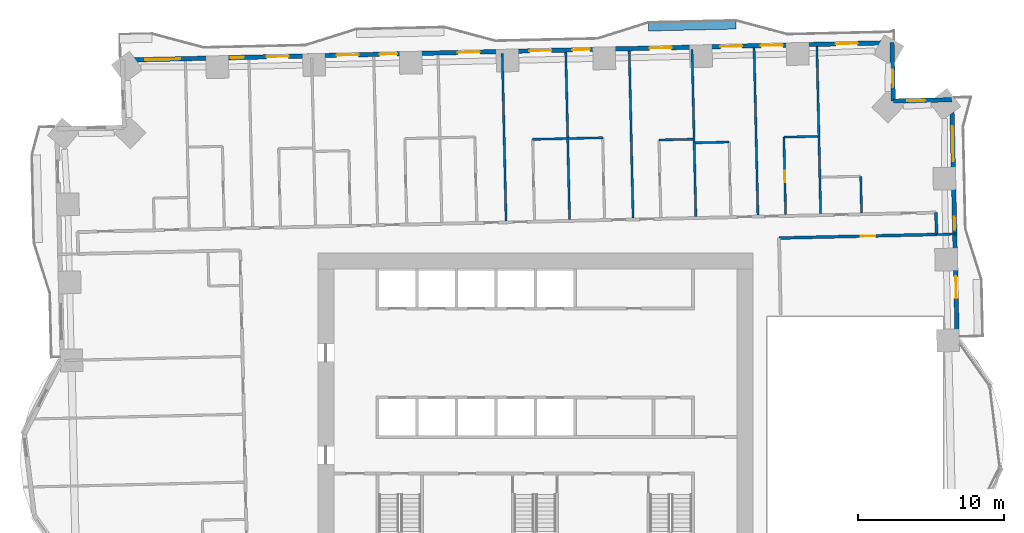
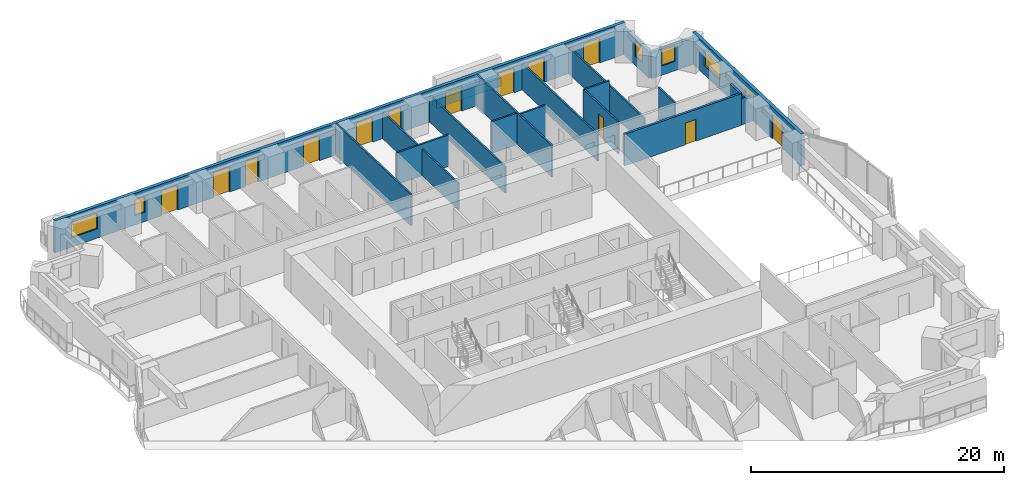
# One storey, part 11 of 16: 20 walls, 13 doors, 6 windows, 19 openings.
"""IFC4 building model written with IfcOpenShell, lengths in metres."""

from ifc_helpers import new_model, si_unit, direction, frame, frame_2d, origin, place, context, subcontext, project, spatial, rectangle, extrude, material, layer, layer_set, type_object, element, fill, save


model = new_model("IFC4")

# Units and contexts
model_context = context("Model", 3, precision=1e-05, world=origin(), true_north=direction((0.0, 1.0)))
body_context = subcontext(model_context, "Body", "Model", "MODEL_VIEW")
ifc_project = project(units=[si_unit("LENGTHUNIT", "METRE"), si_unit("AREAUNIT", "SQUARE_METRE"), si_unit("VOLUMEUNIT", "CUBIC_METRE"), si_unit("PLANEANGLEUNIT", "RADIAN"), si_unit("MASSUNIT", "GRAM", prefix="KILO")], contexts=[model_context])

# Site, building, storey
site_placement = place(None, origin())
site = spatial("IfcSite", under=ifc_project, at=site_placement, CompositionType="ELEMENT")
building_placement = place(site_placement, origin())
building = spatial("IfcBuilding", under=site, at=building_placement, Name="Mangrove Gate Tower", CompositionType="ELEMENT")
storey_placement = place(building_placement, frame((0.0, 0.0, 34.10009765625)))
storey = spatial("IfcBuildingStorey", under=building, at=storey_placement, Name="L07", CompositionType="ELEMENT", Elevation=34.10009765625)

# Wall, opening, door
ifc_material_1 = material(Name="Gypsum board on steel stud, EI 60", Category="steel")
ifc_layer_1 = layer(ifc_material_1, 0.199951171875)
ifc_layer_set_1 = layer_set([ifc_layer_1], Name="Corridor wall EI 60")
wall_type_1 = type_object("IfcWallType", Name="Corridor wall EI 60", PredefinedType="PARTITIONING", material=ifc_layer_set_1)
wall_1_placement = place(storey_placement, frame((16.678955078125, 12.91796875, 0.0), z_axis=(0.0, 0.0, 1.0), x_axis=(0.999742162372, 0.022707020428, 0.0)))
wall_1 = element("IfcWall", 1, at=wall_1_placement, inside=storey, type_object=wall_type_1, Name="WALL-L07-053", PredefinedType="PARTITIONING", context=body_context, shape_type="SweptSolid", body=[
    extrude(rectangle(XDim=10.794677734375, YDim=0.199951171875, at=frame_2d((5.3974609375, 0.0))), origin(), (0.0, 0.0, 1.0), 3.0498046875),
])
opening_1_placement = place(wall_1_placement, frame((5.597900390625, 0.0, 0.0)))
opening_1 = element("IfcOpeningElement", 2, at=opening_1_placement, cuts=wall_1, Name="Opening AD", PredefinedType="OPENING", context=body_context, shape_type="SweptSolid", body=[
    extrude(rectangle(XDim=1.0, YDim=2.10009765625, at=frame_2d((0.5, 1.050048828125))), frame((0.0, 0.10986328125, 0.0), z_axis=(0.0, -1.0, 0.0), x_axis=(1.0, 0.0, 0.0)), (0.0, 0.0, 1.0), 0.219970703125),
])
ifc_material_2 = material(Name="Timber door leaf", Category="wood")
door_type_1 = type_object("IfcDoorType", Name="Amenity door 1000", OperationType="SINGLE_SWING_LEFT", PredefinedType="DOOR", material=ifc_material_2)
door_1_placement = place(opening_1_placement, origin())
door_1 = element("IfcDoor", 3, at=door_1_placement, inside=storey, type_object=door_type_1, Name="DOOR-L07-GAM-c3b", OperationType="SINGLE_SWING_RIGHT", OverallHeight=2.10009765625, OverallWidth=1.0, PredefinedType="DOOR", context=body_context, shape_type="SweptSolid", body=[
    extrude(rectangle(XDim=1.0, YDim=2.10009765625, at=frame_2d((0.5, 1.050048828125))), frame((0.0, 0.02490234375, 0.0), z_axis=(0.0, -1.0, 0.0), x_axis=(1.0, 0.0, 0.0)), (0.0, 0.0, 1.0), 0.050048828125),
])
fill(opening_1, door_1)

# Wall
wall_2_placement = place(storey_placement, frame((27.470947265625, 13.1630859375, 0.0), z_axis=(0.0, 0.0, 1.0), x_axis=(-0.022617910375, 0.999744182344, 0.0)))
element("IfcWall", 4, at=wall_2_placement, inside=storey, type_object=wall_type_1, Name="WALL-L07-055", PredefinedType="PARTITIONING", context=body_context, shape_type="SweptSolid", body=[
    extrude(rectangle(XDim=1.50048828125, YDim=0.199951171875, at=frame_2d((0.750244140625, 0.0))), origin(), (0.0, 0.0, 1.0), 3.0498046875),
])

# Wall, openings, door, windows
ifc_material_3 = material(Name="Limestone", Category="masonry")
ifc_layer_2 = layer(ifc_material_3, 0.0400390625, Name="Limestone cladding")
ifc_material_4 = material(Name="Ventilated air gap")
ifc_layer_3 = layer(ifc_material_4, 0.0400390625, Name="Ventilated cavity")
ifc_material_5 = material(Name="Mineral wool insulation")
ifc_layer_4 = layer(ifc_material_5, 0.06005859375, Name="Insulation")
ifc_material_6 = material(Name="Breather membrane")
ifc_layer_5 = layer(ifc_material_6, 0.001953125, Name="Breather membrane")
ifc_material_7 = material(Name="Concrete C20/25 blockwork", Category="masonry")
ifc_layer_6 = layer(ifc_material_7, 0.14990234375, Name="Blockwork backing wall")
ifc_material_8 = material(Name="Gypsum plaster")
ifc_layer_7 = layer(ifc_material_8, 0.008056640625, Name="Internal plaster")
ifc_layer_set_2 = layer_set([ifc_layer_2, ifc_layer_3, ifc_layer_4, ifc_layer_5, ifc_layer_6, ifc_layer_7], Name="External wall 300 limestone cladding")
wall_type_2 = type_object("IfcWallType", Name="External wall 300 limestone cladding", PredefinedType="SOLIDWALL", material=ifc_layer_set_2)
wall_3_placement = place(storey_placement, frame((28.886962890625, 5.864013671875, 0.0), z_axis=(0.0, 0.0, 1.0), x_axis=(-0.022687182773, 0.999742612745, 0.0)))
wall_3 = element("IfcWall", 5, at=wall_3_placement, inside=storey, type_object=wall_type_2, Name="WALL-L07-E2", PredefinedType="SOLIDWALL", context=body_context, shape_type="SweptSolid", body=[
    extrude(rectangle(XDim=16.529052734375, YDim=0.300048828125, at=frame_2d((8.2646484375, 0.0))), origin(), (0.0, 0.0, 1.0), 3.0498046875),
])
opening_2_placement = place(wall_3_placement, frame((2.928955078125, 0.0, 0.0)))
opening_2 = element("IfcOpeningElement", 6, at=opening_2_placement, cuts=wall_3, Name="Opening BD1", PredefinedType="OPENING", context=body_context, shape_type="SweptSolid", body=[
    extrude(rectangle(XDim=1.5, YDim=2.39990234375, at=frame_2d((0.75, 1.199951171875))), frame((0.0, 0.159912109375, 0.0), z_axis=(0.0, -1.0, 0.0), x_axis=(1.0, 0.0, 0.0)), (0.0, 0.0, 1.0), 0.320068359375),
])
opening_3_placement = place(wall_3_placement, frame((7.62890625, 0.0, 0.89990234375)))
opening_3 = element("IfcOpeningElement", 7, at=opening_3_placement, cuts=wall_3, Name="Opening W5", PredefinedType="OPENING", context=body_context, shape_type="SweptSolid", body=[
    extrude(rectangle(XDim=0.89990234375, YDim=1.5, at=frame_2d((0.449951171875, 0.75))), frame((0.0, 0.159912109375, 0.0), z_axis=(0.0, -1.0, 0.0), x_axis=(1.0, 0.0, 0.0)), (0.0, 0.0, 1.0), 0.320068359375),
])
opening_4_placement = place(wall_3_placement, frame((12.3291015625, 0.0, 0.89990234375)))
opening_4 = element("IfcOpeningElement", 8, at=opening_4_placement, cuts=wall_3, Name="Opening W2", PredefinedType="OPENING", context=body_context, shape_type="SweptSolid", body=[
    extrude(rectangle(XDim=2.39990234375, YDim=1.5, at=frame_2d((1.199951171875, 0.75))), frame((0.0, 0.159912109375, 0.0), z_axis=(0.0, -1.0, 0.0), x_axis=(1.0, 0.0, 0.0)), (0.0, 0.0, 1.0), 0.320068359375),
])
ifc_material_9 = material(Name="Aluminium frame with laminated clear glass", Category="aluminium")
door_type_2 = type_object("IfcDoorType", Name="Balcony sliding door 1500x2400", OperationType="SLIDING_TO_LEFT", PredefinedType="DOOR", material=ifc_material_9)
door_2_placement = place(opening_2_placement, origin())
door_2 = element("IfcDoor", 9, at=door_2_placement, inside=storey, type_object=door_type_2, Name="DOOR-L07-E2-1", OperationType="SLIDING_TO_LEFT", OverallHeight=2.39990234375, OverallWidth=1.5, PredefinedType="DOOR", context=body_context, shape_type="SweptSolid", body=[
    extrude(rectangle(XDim=1.5, YDim=2.39990234375, at=frame_2d((0.75, 1.199951171875))), frame((0.0, 0.02490234375, 0.0), z_axis=(0.0, -1.0, 0.0), x_axis=(1.0, 0.0, 0.0)), (0.0, 0.0, 1.0), 0.050048828125),
])
fill(opening_2, door_2)
ifc_material_10 = material(Name="Aluminium frame with double-glazed low-e glass", Category="aluminium")
window_type_1 = type_object("IfcWindowType", Name="Corner room window 2400x1500", PartitioningType="DOUBLE_PANEL_VERTICAL", PredefinedType="WINDOW", material=ifc_material_10)
window_1_placement = place(opening_4_placement, origin())
window_1 = element("IfcWindow", 10, at=window_1_placement, inside=storey, type_object=window_type_1, Name="WIN-L07-E2-3", OverallHeight=1.5, OverallWidth=2.39990234375, PartitioningType="DOUBLE_PANEL_VERTICAL", PredefinedType="WINDOW", context=body_context, shape_type="SweptSolid", body=[
    extrude(rectangle(XDim=2.39990234375, YDim=1.5, at=frame_2d((1.199951171875, 0.75))), frame((0.0, 0.030029296875, 0.0), z_axis=(0.0, -1.0, 0.0), x_axis=(1.0, 0.0, 0.0)), (0.0, 0.0, 1.0), 0.06005859375),
])
fill(opening_4, window_1)
ifc_material_11 = material(Name="Aluminium frame with double-glazed low-e glass", Category="aluminium")
window_type_2 = type_object("IfcWindowType", Name="Narrow window 900x1500", PartitioningType="SINGLE_PANEL", PredefinedType="WINDOW", material=ifc_material_11)
window_2_placement = place(opening_3_placement, origin())
window_2 = element("IfcWindow", 11, at=window_2_placement, inside=storey, type_object=window_type_2, Name="WIN-L07-E2-2", OverallHeight=1.5, OverallWidth=0.89990234375, PartitioningType="SINGLE_PANEL", PredefinedType="WINDOW", context=body_context, shape_type="SweptSolid", body=[
    extrude(rectangle(XDim=0.89990234375, YDim=1.5, at=frame_2d((0.449951171875, 0.75))), frame((0.0, 0.030029296875, 0.0), z_axis=(0.0, -1.0, 0.0), x_axis=(1.0, 0.0, 0.0)), (0.0, 0.0, 1.0), 0.06005859375),
])
fill(opening_3, window_2)

# Wall, opening, window
wall_4_placement = place(storey_placement, frame((28.511962890625, 22.388916015625, 0.0), z_axis=(0.0, 0.0, 1.0), x_axis=(-0.999747725427, -0.022460754759, 0.0)))
wall_4 = element("IfcWall", 12, at=wall_4_placement, inside=storey, type_object=wall_type_2, Name="WALL-L07-N3", PredefinedType="SOLIDWALL", context=body_context, shape_type="SweptSolid", body=[
    extrude(rectangle(XDim=4.0, YDim=0.300048828125, at=frame_2d((2.0, 0.0))), origin(), (0.0, 0.0, 1.0), 2.5498046875),
])
opening_5_placement = place(wall_4_placement, frame((1.8310546875, 0.0, 0.89990234375)))
opening_5 = element("IfcOpeningElement", 13, at=opening_5_placement, cuts=wall_4, Name="Opening W1", PredefinedType="OPENING", context=body_context, shape_type="SweptSolid", body=[
    extrude(rectangle(XDim=1.199951171875, YDim=1.5, at=frame_2d((0.60009765625, 0.75))), frame((0.0, 0.159912109375, 0.0), z_axis=(0.0, -1.0, 0.0), x_axis=(1.0, 0.0, 0.0)), (0.0, 0.0, 1.0), 0.320068359375),
])
ifc_material_12 = material(Name="Aluminium frame with double-glazed low-e glass", Category="aluminium")
window_type_3 = type_object("IfcWindowType", Name="Side lite 1200x1500", PartitioningType="SINGLE_PANEL", PredefinedType="WINDOW", material=ifc_material_12)
window_3_placement = place(opening_5_placement, origin())
window_3 = element("IfcWindow", 14, at=window_3_placement, inside=storey, type_object=window_type_3, Name="WIN-L07-N3-1", OverallHeight=1.5, OverallWidth=1.199951171875, PartitioningType="SINGLE_PANEL", PredefinedType="WINDOW", context=body_context, shape_type="SweptSolid", body=[
    extrude(rectangle(XDim=1.199951171875, YDim=1.5, at=frame_2d((0.60009765625, 0.75))), frame((0.0, 0.030029296875, 0.0), z_axis=(0.0, -1.0, 0.0), x_axis=(1.0, 0.0, 0.0)), (0.0, 0.0, 1.0), 0.06005859375),
])
fill(opening_5, window_3)

wall_5_placement = place(storey_placement, frame((24.512939453125, 22.299072265625, 0.0), z_axis=(0.0, 0.0, 1.0), x_axis=(-0.022460754759, 0.999747725427, 0.0)))
wall_5 = element("IfcWall", 15, at=wall_5_placement, inside=storey, type_object=wall_type_2, Name="WALL-L07-E4", PredefinedType="SOLIDWALL", context=body_context, shape_type="SweptSolid", body=[
    extrude(rectangle(XDim=4.0, YDim=0.300048828125, at=frame_2d((2.0, 0.0))), origin(), (0.0, 0.0, 1.0), 2.5498046875),
])
opening_6_placement = place(wall_5_placement, frame((0.9599609375, 0.0, 0.89990234375)))
opening_6 = element("IfcOpeningElement", 16, at=opening_6_placement, cuts=wall_5, Name="Opening W1", PredefinedType="OPENING", context=body_context, shape_type="SweptSolid", body=[
    extrude(rectangle(XDim=1.199951171875, YDim=1.5, at=frame_2d((0.60009765625, 0.75))), frame((0.0, 0.159912109375, 0.0), z_axis=(0.0, -1.0, 0.0), x_axis=(1.0, 0.0, 0.0)), (0.0, 0.0, 1.0), 0.320068359375),
])
window_4_placement = place(opening_6_placement, origin())
window_4 = element("IfcWindow", 17, at=window_4_placement, inside=storey, type_object=window_type_3, Name="WIN-L07-E4-1", OverallHeight=1.5, OverallWidth=1.199951171875, PartitioningType="SINGLE_PANEL", PredefinedType="WINDOW", context=body_context, shape_type="SweptSolid", body=[
    extrude(rectangle(XDim=1.199951171875, YDim=1.5, at=frame_2d((0.60009765625, 0.75))), frame((0.0, 0.030029296875, 0.0), z_axis=(0.0, -1.0, 0.0), x_axis=(1.0, 0.0, 0.0)), (0.0, 0.0, 1.0), 0.06005859375),
])
fill(opening_6, window_4)

# Wall, openings, doors, windows
wall_6_placement = place(storey_placement, frame((24.423095703125, 26.298095703125, 0.0), z_axis=(0.0, 0.0, 1.0), x_axis=(-0.999742433108, -0.022695097355, 0.0)))
wall_6 = element("IfcWall", 18, at=wall_6_placement, inside=storey, type_object=wall_type_2, Name="WALL-L07-N5", PredefinedType="SOLIDWALL", context=body_context, shape_type="SweptSolid", body=[
    extrude(rectangle(XDim=52.70068359375, YDim=0.300048828125, at=frame_2d((26.350341796875, 0.0))), origin(), (0.0, 0.0, 1.0), 3.0498046875),
])
opening_7_placement = place(wall_6_placement, frame((2.35693359375, 0.0, 0.0)))
opening_7 = element("IfcOpeningElement", 19, at=opening_7_placement, cuts=wall_6, Name="Opening BD1", PredefinedType="OPENING", context=body_context, shape_type="SweptSolid", body=[
    extrude(rectangle(XDim=1.5, YDim=2.39990234375, at=frame_2d((0.75, 1.199951171875))), frame((0.0, 0.159912109375, 0.0), z_axis=(0.0, -1.0, 0.0), x_axis=(1.0, 0.0, 0.0)), (0.0, 0.0, 1.0), 0.320068359375),
])
opening_8_placement = place(wall_6_placement, frame((7.47509765625, 0.0, 0.0)))
opening_8 = element("IfcOpeningElement", 20, at=opening_8_placement, cuts=wall_6, Name="Opening BD1", PredefinedType="OPENING", context=body_context, shape_type="SweptSolid", body=[
    extrude(rectangle(XDim=1.5, YDim=2.39990234375, at=frame_2d((0.75, 1.199951171875))), frame((0.0, 0.159912109375, 0.0), z_axis=(0.0, -1.0, 0.0), x_axis=(1.0, 0.0, 0.0)), (0.0, 0.0, 1.0), 0.320068359375),
])
opening_9_placement = place(wall_6_placement, frame((10.261962890625, 0.0, 0.0)))
opening_9 = element("IfcOpeningElement", 21, at=opening_9_placement, cuts=wall_6, Name="Opening BD1", PredefinedType="OPENING", context=body_context, shape_type="SweptSolid", body=[
    extrude(rectangle(XDim=1.5, YDim=2.39990234375, at=frame_2d((0.75, 1.199951171875))), frame((0.0, 0.159912109375, 0.0), z_axis=(0.0, -1.0, 0.0), x_axis=(1.0, 0.0, 0.0)), (0.0, 0.0, 1.0), 0.320068359375),
])
opening_10_placement = place(wall_6_placement, frame((15.10009765625, 0.0, 0.0)))
opening_10 = element("IfcOpeningElement", 22, at=opening_10_placement, cuts=wall_6, Name="Opening BD1", PredefinedType="OPENING", context=body_context, shape_type="SweptSolid", body=[
    extrude(rectangle(XDim=1.5, YDim=2.39990234375, at=frame_2d((0.75, 1.199951171875))), frame((0.0, 0.159912109375, 0.0), z_axis=(0.0, -1.0, 0.0), x_axis=(1.0, 0.0, 0.0)), (0.0, 0.0, 1.0), 0.320068359375),
])
opening_11_placement = place(wall_6_placement, frame((20.699951171875, 0.0, 0.0)))
opening_11 = element("IfcOpeningElement", 23, at=opening_11_placement, cuts=wall_6, Name="Opening BD2", PredefinedType="OPENING", context=body_context, shape_type="SweptSolid", body=[
    extrude(rectangle(XDim=1.199951171875, YDim=2.39990234375, at=frame_2d((0.60009765625, 1.199951171875))), frame((0.0, 0.159912109375, 0.0), z_axis=(0.0, -1.0, 0.0), x_axis=(1.0, 0.0, 0.0)), (0.0, 0.0, 1.0), 0.320068359375),
])
opening_12_placement = place(wall_6_placement, frame((23.3369140625, 0.0, 0.0)))
opening_12 = element("IfcOpeningElement", 24, at=opening_12_placement, cuts=wall_6, Name="Opening BD1", PredefinedType="OPENING", context=body_context, shape_type="SweptSolid", body=[
    extrude(rectangle(XDim=1.5, YDim=2.39990234375, at=frame_2d((0.75, 1.199951171875))), frame((0.0, 0.159912109375, 0.0), z_axis=(0.0, -1.0, 0.0), x_axis=(1.0, 0.0, 0.0)), (0.0, 0.0, 1.0), 0.320068359375),
])
opening_13_placement = place(wall_6_placement, frame((28.238037109375, 0.0, 0.0)))
opening_13 = element("IfcOpeningElement", 25, at=opening_13_placement, cuts=wall_6, Name="Opening BD1", PredefinedType="OPENING", context=body_context, shape_type="SweptSolid", body=[
    extrude(rectangle(XDim=1.5, YDim=2.39990234375, at=frame_2d((0.75, 1.199951171875))), frame((0.0, 0.159912109375, 0.0), z_axis=(0.0, -1.0, 0.0), x_axis=(1.0, 0.0, 0.0)), (0.0, 0.0, 1.0), 0.320068359375),
])
opening_14_placement = place(wall_6_placement, frame((33.89990234375, 0.0, 0.0)))
opening_14 = element("IfcOpeningElement", 26, at=opening_14_placement, cuts=wall_6, Name="Opening BD2", PredefinedType="OPENING", context=body_context, shape_type="SweptSolid", body=[
    extrude(rectangle(XDim=1.199951171875, YDim=2.39990234375, at=frame_2d((0.60009765625, 1.199951171875))), frame((0.0, 0.159912109375, 0.0), z_axis=(0.0, -1.0, 0.0), x_axis=(1.0, 0.0, 0.0)), (0.0, 0.0, 1.0), 0.320068359375),
])
opening_15_placement = place(wall_6_placement, frame((36.5380859375, 0.0, 0.0)))
opening_15 = element("IfcOpeningElement", 27, at=opening_15_placement, cuts=wall_6, Name="Opening BD1", PredefinedType="OPENING", context=body_context, shape_type="SweptSolid", body=[
    extrude(rectangle(XDim=1.5, YDim=2.39990234375, at=frame_2d((0.75, 1.199951171875))), frame((0.0, 0.159912109375, 0.0), z_axis=(0.0, -1.0, 0.0), x_axis=(1.0, 0.0, 0.0)), (0.0, 0.0, 1.0), 0.320068359375),
])
opening_16_placement = place(wall_6_placement, frame((41.337890625, 0.0, 0.0)))
opening_16 = element("IfcOpeningElement", 28, at=opening_16_placement, cuts=wall_6, Name="Opening BD1", PredefinedType="OPENING", context=body_context, shape_type="SweptSolid", body=[
    extrude(rectangle(XDim=1.5, YDim=2.39990234375, at=frame_2d((0.75, 1.199951171875))), frame((0.0, 0.159912109375, 0.0), z_axis=(0.0, -1.0, 0.0), x_axis=(1.0, 0.0, 0.0)), (0.0, 0.0, 1.0), 0.320068359375),
])
opening_17_placement = place(wall_6_placement, frame((44.39990234375, 0.0, 0.89990234375)))
opening_17 = element("IfcOpeningElement", 29, at=opening_17_placement, cuts=wall_6, Name="Opening W5", PredefinedType="OPENING", context=body_context, shape_type="SweptSolid", body=[
    extrude(rectangle(XDim=0.89990234375, YDim=1.5, at=frame_2d((0.449951171875, 0.75))), frame((0.0, 0.159912109375, 0.0), z_axis=(0.0, -1.0, 0.0), x_axis=(1.0, 0.0, 0.0)), (0.0, 0.0, 1.0), 0.320068359375),
])
opening_18_placement = place(wall_6_placement, frame((48.763916015625, 0.0, 0.89990234375)))
opening_18 = element("IfcOpeningElement", 30, at=opening_18_placement, cuts=wall_6, Name="Opening W2", PredefinedType="OPENING", context=body_context, shape_type="SweptSolid", body=[
    extrude(rectangle(XDim=2.39990234375, YDim=1.5, at=frame_2d((1.199951171875, 0.75))), frame((0.0, 0.159912109375, 0.0), z_axis=(0.0, -1.0, 0.0), x_axis=(1.0, 0.0, 0.0)), (0.0, 0.0, 1.0), 0.320068359375),
])
ifc_material_13 = material(Name="Aluminium frame with laminated clear glass", Category="aluminium")
door_type_3 = type_object("IfcDoorType", Name="Balcony sliding door 1200x2400", OperationType="SLIDING_TO_LEFT", PredefinedType="DOOR", material=ifc_material_13)
door_3_placement = place(opening_11_placement, origin())
door_3 = element("IfcDoor", 31, at=door_3_placement, inside=storey, type_object=door_type_3, Name="DOOR-L07-N5-5", OperationType="SLIDING_TO_LEFT", OverallHeight=2.39990234375, OverallWidth=1.199951171875, PredefinedType="DOOR", context=body_context, shape_type="SweptSolid", body=[
    extrude(rectangle(XDim=1.199951171875, YDim=2.39990234375, at=frame_2d((0.60009765625, 1.199951171875))), frame((0.0, 0.02490234375, 0.0), z_axis=(0.0, -1.0, 0.0), x_axis=(1.0, 0.0, 0.0)), (0.0, 0.0, 1.0), 0.050048828125),
])
fill(opening_11, door_3)
door_4_placement = place(opening_14_placement, origin())
door_4 = element("IfcDoor", 32, at=door_4_placement, inside=storey, type_object=door_type_3, Name="DOOR-L07-N5-8", OperationType="SLIDING_TO_LEFT", OverallHeight=2.39990234375, OverallWidth=1.199951171875, PredefinedType="DOOR", context=body_context, shape_type="SweptSolid", body=[
    extrude(rectangle(XDim=1.199951171875, YDim=2.39990234375, at=frame_2d((0.60009765625, 1.199951171875))), frame((0.0, 0.02490234375, 0.0), z_axis=(0.0, -1.0, 0.0), x_axis=(1.0, 0.0, 0.0)), (0.0, 0.0, 1.0), 0.050048828125),
])
fill(opening_14, door_4)
door_5_placement = place(opening_7_placement, origin())
door_5 = element("IfcDoor", 33, at=door_5_placement, inside=storey, type_object=door_type_2, Name="DOOR-L07-N5-1", OperationType="SLIDING_TO_LEFT", OverallHeight=2.39990234375, OverallWidth=1.5, PredefinedType="DOOR", context=body_context, shape_type="SweptSolid", body=[
    extrude(rectangle(XDim=1.5, YDim=2.39990234375, at=frame_2d((0.75, 1.199951171875))), frame((0.0, 0.02490234375, 0.0), z_axis=(0.0, -1.0, 0.0), x_axis=(1.0, 0.0, 0.0)), (0.0, 0.0, 1.0), 0.050048828125),
])
fill(opening_7, door_5)
door_6_placement = place(opening_8_placement, origin())
door_6 = element("IfcDoor", 34, at=door_6_placement, inside=storey, type_object=door_type_2, Name="DOOR-L07-N5-2", OperationType="SLIDING_TO_LEFT", OverallHeight=2.39990234375, OverallWidth=1.5, PredefinedType="DOOR", context=body_context, shape_type="SweptSolid", body=[
    extrude(rectangle(XDim=1.5, YDim=2.39990234375, at=frame_2d((0.75, 1.199951171875))), frame((0.0, 0.02490234375, 0.0), z_axis=(0.0, -1.0, 0.0), x_axis=(1.0, 0.0, 0.0)), (0.0, 0.0, 1.0), 0.050048828125),
])
fill(opening_8, door_6)
door_7_placement = place(opening_9_placement, origin())
door_7 = element("IfcDoor", 35, at=door_7_placement, inside=storey, type_object=door_type_2, Name="DOOR-L07-N5-3", OperationType="SLIDING_TO_LEFT", OverallHeight=2.39990234375, OverallWidth=1.5, PredefinedType="DOOR", context=body_context, shape_type="SweptSolid", body=[
    extrude(rectangle(XDim=1.5, YDim=2.39990234375, at=frame_2d((0.75, 1.199951171875))), frame((0.0, 0.02490234375, 0.0), z_axis=(0.0, -1.0, 0.0), x_axis=(1.0, 0.0, 0.0)), (0.0, 0.0, 1.0), 0.050048828125),
])
fill(opening_9, door_7)
door_8_placement = place(opening_10_placement, origin())
door_8 = element("IfcDoor", 36, at=door_8_placement, inside=storey, type_object=door_type_2, Name="DOOR-L07-N5-4", OperationType="SLIDING_TO_LEFT", OverallHeight=2.39990234375, OverallWidth=1.5, PredefinedType="DOOR", context=body_context, shape_type="SweptSolid", body=[
    extrude(rectangle(XDim=1.5, YDim=2.39990234375, at=frame_2d((0.75, 1.199951171875))), frame((0.0, 0.02490234375, 0.0), z_axis=(0.0, -1.0, 0.0), x_axis=(1.0, 0.0, 0.0)), (0.0, 0.0, 1.0), 0.050048828125),
])
fill(opening_10, door_8)
door_9_placement = place(opening_12_placement, origin())
door_9 = element("IfcDoor", 37, at=door_9_placement, inside=storey, type_object=door_type_2, Name="DOOR-L07-N5-6", OperationType="SLIDING_TO_LEFT", OverallHeight=2.39990234375, OverallWidth=1.5, PredefinedType="DOOR", context=body_context, shape_type="SweptSolid", body=[
    extrude(rectangle(XDim=1.5, YDim=2.39990234375, at=frame_2d((0.75, 1.199951171875))), frame((0.0, 0.02490234375, 0.0), z_axis=(0.0, -1.0, 0.0), x_axis=(1.0, 0.0, 0.0)), (0.0, 0.0, 1.0), 0.050048828125),
])
fill(opening_12, door_9)
door_10_placement = place(opening_13_placement, origin())
door_10 = element("IfcDoor", 38, at=door_10_placement, inside=storey, type_object=door_type_2, Name="DOOR-L07-N5-7", OperationType="SLIDING_TO_LEFT", OverallHeight=2.39990234375, OverallWidth=1.5, PredefinedType="DOOR", context=body_context, shape_type="SweptSolid", body=[
    extrude(rectangle(XDim=1.5, YDim=2.39990234375, at=frame_2d((0.75, 1.199951171875))), frame((0.0, 0.02490234375, 0.0), z_axis=(0.0, -1.0, 0.0), x_axis=(1.0, 0.0, 0.0)), (0.0, 0.0, 1.0), 0.050048828125),
])
fill(opening_13, door_10)
door_11_placement = place(opening_15_placement, origin())
door_11 = element("IfcDoor", 39, at=door_11_placement, inside=storey, type_object=door_type_2, Name="DOOR-L07-N5-9", OperationType="SLIDING_TO_LEFT", OverallHeight=2.39990234375, OverallWidth=1.5, PredefinedType="DOOR", context=body_context, shape_type="SweptSolid", body=[
    extrude(rectangle(XDim=1.5, YDim=2.39990234375, at=frame_2d((0.75, 1.199951171875))), frame((0.0, 0.02490234375, 0.0), z_axis=(0.0, -1.0, 0.0), x_axis=(1.0, 0.0, 0.0)), (0.0, 0.0, 1.0), 0.050048828125),
])
fill(opening_15, door_11)
door_12_placement = place(opening_16_placement, origin())
door_12 = element("IfcDoor", 40, at=door_12_placement, inside=storey, type_object=door_type_2, Name="DOOR-L07-N5-10", OperationType="SLIDING_TO_LEFT", OverallHeight=2.39990234375, OverallWidth=1.5, PredefinedType="DOOR", context=body_context, shape_type="SweptSolid", body=[
    extrude(rectangle(XDim=1.5, YDim=2.39990234375, at=frame_2d((0.75, 1.199951171875))), frame((0.0, 0.02490234375, 0.0), z_axis=(0.0, -1.0, 0.0), x_axis=(1.0, 0.0, 0.0)), (0.0, 0.0, 1.0), 0.050048828125),
])
fill(opening_16, door_12)
window_5_placement = place(opening_18_placement, origin())
window_5 = element("IfcWindow", 41, at=window_5_placement, inside=storey, type_object=window_type_1, Name="WIN-L07-N5-12", OverallHeight=1.5, OverallWidth=2.39990234375, PartitioningType="DOUBLE_PANEL_VERTICAL", PredefinedType="WINDOW", context=body_context, shape_type="SweptSolid", body=[
    extrude(rectangle(XDim=2.39990234375, YDim=1.5, at=frame_2d((1.199951171875, 0.75))), frame((0.0, 0.030029296875, 0.0), z_axis=(0.0, -1.0, 0.0), x_axis=(1.0, 0.0, 0.0)), (0.0, 0.0, 1.0), 0.06005859375),
])
fill(opening_18, window_5)
window_6_placement = place(opening_17_placement, origin())
window_6 = element("IfcWindow", 42, at=window_6_placement, inside=storey, type_object=window_type_2, Name="WIN-L07-N5-11", OverallHeight=1.5, OverallWidth=0.89990234375, PartitioningType="SINGLE_PANEL", PredefinedType="WINDOW", context=body_context, shape_type="SweptSolid", body=[
    extrude(rectangle(XDim=0.89990234375, YDim=1.5, at=frame_2d((0.449951171875, 0.75))), frame((0.0, 0.030029296875, 0.0), z_axis=(0.0, -1.0, 0.0), x_axis=(1.0, 0.0, 0.0)), (0.0, 0.0, 1.0), 0.06005859375),
])
fill(opening_17, window_6)

# Walls
ifc_material_14 = material(Name="Gypsum board on steel stud, EI 60", Category="steel")
ifc_layer_8 = layer(ifc_material_14, 0.14990234375)
ifc_layer_set_3 = layer_set([ifc_layer_8], Name="Party wall 150 EI 60")
wall_type_3 = type_object("IfcWallType", Name="Party wall 150 EI 60", PredefinedType="PARTITIONING", material=ifc_layer_set_3)
wall_7_placement = place(storey_placement, frame((27.470947265625, 13.1630859375, 0.0), z_axis=(0.0, 0.0, 1.0), x_axis=(0.999739219063, 0.022836240226, 0.0)))
element("IfcWall", 43, at=wall_7_placement, inside=storey, type_object=wall_type_3, Name="WALL-L07-054", PredefinedType="PARTITIONING", context=body_context, shape_type="SweptSolid", body=[
    extrude(rectangle(XDim=1.400390625, YDim=0.14990234375, at=frame_2d((0.7001953125, 0.0))), origin(), (0.0, 0.0, 1.0), 2.5498046875),
])
wall_8_placement = place(storey_placement, frame((-2.007080078125, 14.094970703125, 0.0), z_axis=(0.0, 0.0, 1.0), x_axis=(-0.022708327922, 0.999742132674, 0.0)))
element("IfcWall", 44, at=wall_8_placement, inside=storey, type_object=wall_type_3, Name="WALL-L07-068", PredefinedType="PARTITIONING", context=body_context, shape_type="SweptSolid", body=[
    extrude(rectangle(XDim=11.449951171875, YDim=0.14990234375, at=frame_2d((5.72509765625, 0.0))), origin(), (0.0, 0.0, 1.0), 3.0498046875),
])
wall_9_placement = place(storey_placement, frame((2.342041015625, 14.194091796875, 0.0), z_axis=(0.0, 0.0, 1.0), x_axis=(-0.022708327922, 0.999742132674, 0.0)))
element("IfcWall", 45, at=wall_9_placement, inside=storey, type_object=wall_type_3, Name="WALL-L07-070", PredefinedType="PARTITIONING", context=body_context, shape_type="SweptSolid", body=[
    extrude(rectangle(XDim=11.449951171875, YDim=0.14990234375, at=frame_2d((5.72509765625, 0.0))), origin(), (0.0, 0.0, 1.0), 2.5498046875),
])
wall_10_placement = place(storey_placement, frame((6.68994140625, 14.2919921875, 0.0), z_axis=(0.0, 0.0, 1.0), x_axis=(-0.022621153305, 0.999744108971, 0.0)))
element("IfcWall", 46, at=wall_10_placement, inside=storey, type_object=wall_type_3, Name="WALL-L07-072", PredefinedType="PARTITIONING", context=body_context, shape_type="SweptSolid", body=[
    extrude(rectangle(XDim=11.450927734375, YDim=0.14990234375, at=frame_2d((5.7255859375, 0.0))), origin(), (0.0, 0.0, 1.0), 2.5498046875),
])
wall_11_placement = place(storey_placement, frame((10.989013671875, 14.389892578125, 0.0), z_axis=(0.0, 0.0, 1.0), x_axis=(-0.022623082162, 0.999744065325, 0.0)))
element("IfcWall", 47, at=wall_11_placement, inside=storey, type_object=wall_type_3, Name="WALL-L07-074", PredefinedType="PARTITIONING", context=body_context, shape_type="SweptSolid", body=[
    extrude(rectangle(XDim=11.449951171875, YDim=0.14990234375, at=frame_2d((5.72509765625, 0.0))), origin(), (0.0, 0.0, 1.0), 3.0498046875),
])
wall_12_placement = place(storey_placement, frame((15.238037109375, 14.486083984375, 0.0), z_axis=(0.0, 0.0, 1.0), x_axis=(-0.022706391805, 0.999742176649, 0.0)))
element("IfcWall", 48, at=wall_12_placement, inside=storey, type_object=wall_type_3, Name="WALL-L07-076", PredefinedType="PARTITIONING", context=body_context, shape_type="SweptSolid", body=[
    extrude(rectangle(XDim=11.450927734375, YDim=0.14990234375, at=frame_2d((5.7255859375, 0.0))), origin(), (0.0, 0.0, 1.0), 2.5498046875),
])

# Wall, opening, door
wall_13_placement = place(storey_placement, frame((17.137939453125, 14.529052734375, 0.0), z_axis=(0.0, 0.0, 1.0), x_axis=(-0.022616771387, 0.999744208111, 0.0)))
wall_13 = element("IfcWall", 49, at=wall_13_placement, inside=storey, type_object=wall_type_3, Name="WALL-L07-077", PredefinedType="PARTITIONING", context=body_context, shape_type="SweptSolid", body=[
    extrude(rectangle(XDim=5.30029296875, YDim=0.14990234375, at=frame_2d((2.650146484375, 0.0))), origin(), (0.0, 0.0, 1.0), 3.0498046875),
])
opening_19_placement = place(wall_13_placement, frame((2.199951171875, 0.0, 0.0)))
opening_19 = element("IfcOpeningElement", 50, at=opening_19_placement, cuts=wall_13, Name="Opening ED", PredefinedType="OPENING", context=body_context, shape_type="SweptSolid", body=[
    extrude(rectangle(XDim=0.800048828125, YDim=2.10009765625, at=frame_2d((0.39990234375, 1.050048828125))), frame((0.0, 0.0849609375, 0.0), z_axis=(0.0, -1.0, 0.0), x_axis=(1.0, 0.0, 0.0)), (0.0, 0.0, 1.0), 0.169921875),
])
ifc_material_15 = material(Name="Timber door leaf", Category="wood")
door_type_4 = type_object("IfcDoorType", Name="En-suite door 800", OperationType="SINGLE_SWING_LEFT", PredefinedType="DOOR", material=ifc_material_15)
door_13_placement = place(opening_19_placement, origin())
door_13 = element("IfcDoor", 51, at=door_13_placement, inside=storey, type_object=door_type_4, Name="DOOR-L07-ENS-c310", OperationType="SINGLE_SWING_RIGHT", OverallHeight=2.10009765625, OverallWidth=0.800048828125, PredefinedType="DOOR", context=body_context, shape_type="SweptSolid", body=[
    extrude(rectangle(XDim=0.800048828125, YDim=2.10009765625, at=frame_2d((0.39990234375, 1.050048828125))), frame((0.0, 0.02490234375, 0.0), z_axis=(0.0, -1.0, 0.0), x_axis=(1.0, 0.0, 0.0)), (0.0, 0.0, 1.0), 0.050048828125),
])
fill(opening_19, door_13)

# Walls
wall_14_placement = place(storey_placement, frame((19.537109375, 14.583984375, 0.0), z_axis=(0.0, 0.0, 1.0), x_axis=(-0.022708327922, 0.999742132674, 0.0)))
element("IfcWall", 52, at=wall_14_placement, inside=storey, type_object=wall_type_3, Name="WALL-L07-078", PredefinedType="PARTITIONING", context=body_context, shape_type="SweptSolid", body=[
    extrude(rectangle(XDim=11.449951171875, YDim=0.14990234375, at=frame_2d((5.72509765625, 0.0))), origin(), (0.0, 0.0, 1.0), 2.5498046875),
])
wall_15_placement = place(storey_placement, frame((22.3359375, 14.64697265625, 0.0), z_axis=(0.0, 0.0, 1.0), x_axis=(-0.022357691225, 0.99975003558, 0.0)))
element("IfcWall", 53, at=wall_15_placement, inside=storey, type_object=wall_type_3, Name="WALL-L07-079", PredefinedType="PARTITIONING", context=body_context, shape_type="SweptSolid", body=[
    extrude(rectangle(XDim=2.500732421875, YDim=0.14990234375, at=frame_2d((1.25048828125, 0.0))), origin(), (0.0, 0.0, 1.0), 3.0498046875),
])
for number, where, z_axis, x_axis, name in (
    (54, (10.949951171875, 19.43994140625, 0.0), (0.0, 0.0, 1.0), (0.999740260747, 0.02279059109, 0.0), "WALL-L07-083"),
    (55, (8.469970703125, 19.634033203125, 0.0), (0.0, 0.0, 1.0), (0.999740260747, 0.02279059109, 0.0), "WALL-L07-085"),
    (56, (17.01806640625, 19.827880859375, 0.0), (0.0, 0.0, 1.0), (0.999737862264, 0.022895561926, 0.0), "WALL-L07-086"),
):
    element("IfcWall", number, at=place(storey_placement, frame(where, z_axis=z_axis, x_axis=x_axis)), inside=storey, type_object=wall_type_3, Name=name, PredefinedType="PARTITIONING", context=body_context, shape_type="SweptSolid", body=[
        extrude(rectangle(XDim=2.324462890625, YDim=0.14990234375, at=frame_2d((1.162109375, 0.0))), origin(), (0.0, 0.0, 1.0), 3.0498046875),
    ])
wall_16_placement = place(storey_placement, frame((-0.18408203125, 19.677978515625, 0.0), z_axis=(0.0, 0.0, 1.0), x_axis=(0.99974154664, 0.022734113616, 0.0)))
element("IfcWall", 57, at=wall_16_placement, inside=storey, type_object=wall_type_3, Name="WALL-L07-088", PredefinedType="PARTITIONING", context=body_context, shape_type="SweptSolid", body=[
    extrude(rectangle(XDim=4.80029296875, YDim=0.14990234375, at=frame_2d((2.400146484375, 0.0))), origin(), (0.0, 0.0, 1.0), 3.0498046875),
])
ifc_material_16 = material(Name="Concrete C32/40", Category="concrete")
ifc_layer_9 = layer(ifc_material_16, 0.199951171875, Name="Planter trough wall")
ifc_material_17 = material(Name="Bituminous waterproofing membrane")
ifc_layer_10 = layer(ifc_material_17, 0.0048828125, Name="Waterproofing")
ifc_material_18 = material(Name="Drainage board and gravel")
ifc_layer_11 = layer(ifc_material_18, 0.044921875, Name="Drainage layer")
ifc_material_19 = material(Name="Planting soil")
ifc_layer_12 = layer(ifc_material_19, 0.300048828125, Name="Growing medium")
ifc_layer_set_4 = layer_set([ifc_layer_9, ifc_layer_10, ifc_layer_11, ifc_layer_12], Name="Planter wall 550 C32/40")
wall_type_4 = type_object("IfcWallType", Name="Planter wall 550 C32/40", PredefinedType="USERDEFINED", material=ifc_layer_set_4)
wall_17_placement = place(storey_placement, frame((7.743896484375, 27.368896484375, 0.0), z_axis=(0.0, 0.0, 1.0), x_axis=(0.999743178102, 0.022662255828, 0.0)))
element("IfcWall", 58, at=wall_17_placement, inside=storey, type_object=wall_type_4, Name="PLANTER L07 N0.1", ObjectType="PLANTER", PredefinedType="USERDEFINED", context=body_context, shape_type="SweptSolid", body=[
    extrude(rectangle(XDim=6.00048828125, YDim=0.550048828125, at=frame_2d((3.000244140625, 0.0))), origin(), (0.0, 0.0, 1.0), 0.7998046875),
])

save(model, "model.ifc")
